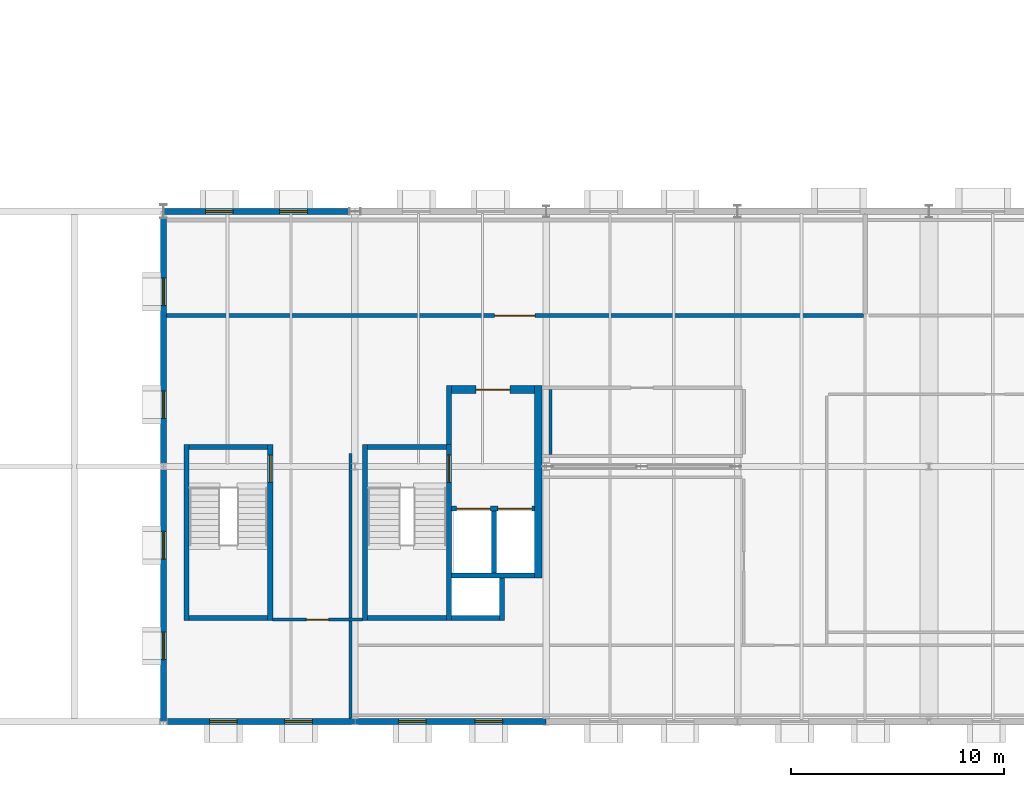
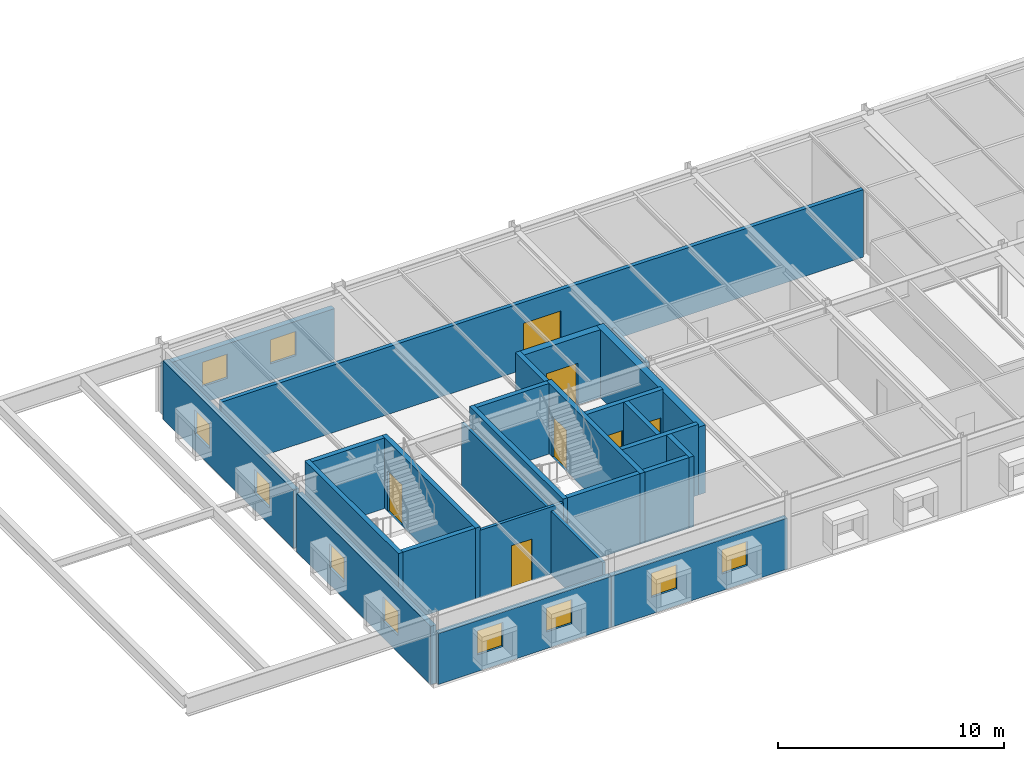
# One storey, part 29 of 36: 26 walls, 10 windows, 7 doors, 17 openings.
"""IFC4 building model written with IfcOpenShell, lengths in metres."""

import ifcopenshell
import ifcopenshell.guid

model = None  # the IFC model being written
_history = None  # IfcOwnerHistory: only IFC2X3 demands one
_inside = {}  # id of a spatial element -> (the spatial element, [elements in it])
_under = {}  # id of a project, library or spatial element -> (it, [spatial elements below it])
_declared = {}  # id of a project -> (the project, [libraries it declares])
_typed = {}  # id of a type object -> (the type object, [elements of that type])
_made_of = {}  # id of a material, layer set ... -> (it, [elements and type objects made of it])


def new_model(schema):
    """Start an empty IFC model of exactly this schema.

    Asked for "IFC4X3", IfcOpenShell would pick the latest addendum, in which some entities
    have other attributes; the version numbers below select the first issue.
    IFC2X3 requires an IfcOwnerHistory on every rooted entity: one is made here for all.
    """
    global model, _history
    if schema == "IFC4X3":
        model = ifcopenshell.file(schema_version=(4, 3, 0, 0))
    else:
        model = ifcopenshell.file(schema=schema)
    _inside.clear()
    _under.clear()
    _declared.clear()
    _typed.clear()
    _made_of.clear()
    _history = None
    if model.schema == "IFC2X3":
        org = make("IfcOrganization", Name="unknown")
        user = make(
            "IfcPersonAndOrganization",
            ThePerson=make("IfcPerson", FamilyName="unknown"),
            TheOrganization=org,
        )
        app = make(
            "IfcApplication",
            ApplicationDeveloper=org,
            Version="unknown",
            ApplicationFullName="unknown",
            ApplicationIdentifier="unknown",
        )
        _history = make(
            "IfcOwnerHistory",
            OwningUser=user,
            OwningApplication=app,
            ChangeAction="ADDED",
            CreationDate=0,
        )
    return model


def make(cls, **values):
    """One entity of the class cls with the attributes given. An attribute that is None is left unset."""
    return model.create_entity(
        cls, **{name: value for name, value in values.items() if value is not None}
    )


def rooted(cls, **values):
    """An entity with a GlobalId (a new one), such as an element, a storey or a relation."""
    return make(cls, GlobalId=ifcopenshell.guid.new(), OwnerHistory=_history, **values)


def si_unit(unit_type, name, prefix=None):
    """IfcSIUnit, for example si_unit("LENGTHUNIT", "METRE", prefix="MILLI")."""
    return make("IfcSIUnit", UnitType=unit_type, Prefix=prefix, Name=name)


def assignment(units):
    """IfcUnitAssignment: the units of a project."""
    return None if units is None else make("IfcUnitAssignment", Units=units)


def point(xyz):
    """IfcCartesianPoint."""
    return None if xyz is None else make("IfcCartesianPoint", Coordinates=xyz)


def direction(xyz):
    """IfcDirection."""
    return None if xyz is None else make("IfcDirection", DirectionRatios=xyz)


def frame(location, z_axis=None, x_axis=None):
    """IfcAxis2Placement3D, a coordinate frame: its origin and axes. An axis left out is left unset."""
    return make(
        "IfcAxis2Placement3D",
        Location=point(location),
        Axis=direction(z_axis),
        RefDirection=direction(x_axis),
    )


def frame_2d(location, x_axis=None):
    """IfcAxis2Placement2D, a coordinate frame in the plane: its origin and x axis."""
    return make(
        "IfcAxis2Placement2D", Location=point(location), RefDirection=direction(x_axis)
    )


def origin():
    """The frame at (0, 0, 0) with its axes left unset."""
    return frame((0.0, 0.0, 0.0))


def place(relative_to, where):
    """IfcLocalPlacement: puts the frame where relative to a parent placement (None: the world)."""
    return make(
        "IfcLocalPlacement", PlacementRelTo=relative_to, RelativePlacement=where
    )


def context(
    kind, dimensions, precision=None, world=None, true_north=None, identifier=None
):
    """IfcGeometricRepresentationContext, for example the 3D "Model" context."""
    return make(
        "IfcGeometricRepresentationContext",
        ContextIdentifier=identifier,
        ContextType=kind,
        CoordinateSpaceDimension=dimensions,
        Precision=precision,
        WorldCoordinateSystem=world,
        TrueNorth=true_north,
    )


def subcontext(parent, identifier, kind, view, scale=None):
    """IfcGeometricRepresentationSubContext, for example "Body" below "Model"."""
    return make(
        "IfcGeometricRepresentationSubContext",
        ContextIdentifier=identifier,
        ContextType=kind,
        ParentContext=parent,
        TargetScale=scale,
        TargetView=view,
    )


def project(units=None, contexts=None):
    """IfcProject with its units and contexts."""
    return rooted(
        "IfcProject",
        Name="project",
        RepresentationContexts=contexts,
        UnitsInContext=assignment(units),
    )


def spatial(cls, under=None, at=None, **own):
    """A site, building, storey or space (cls), placed at a placement, below another one or the project."""
    s = rooted(cls, ObjectPlacement=at, **own)
    if under is not None:
        _under.setdefault(under.id(), (under, []))[1].append(s)
    return s


def profile(cls, at=None, kind="AREA", **sizes):
    """A parametric profile (cls). Its sizes go by their IFC names, for example OverallWidth=200.0."""
    return make(cls, ProfileType=kind, Position=at, **sizes)


def rectangle(**sizes):
    """IfcRectangleProfileDef."""
    return profile("IfcRectangleProfileDef", **sizes)


def extrude(swept, where, along, depth):
    """IfcExtrudedAreaSolid: the profile swept, set in the frame where, extruded along a direction by depth."""
    return make(
        "IfcExtrudedAreaSolid",
        SweptArea=swept,
        Position=where,
        ExtrudedDirection=direction(along),
        Depth=depth,
    )


def shape(context_of_items, identifier, shape_type, items):
    """IfcShapeRepresentation: the items that make up one representation, for example the "Body"."""
    return make(
        "IfcShapeRepresentation",
        ContextOfItems=context_of_items,
        RepresentationIdentifier=identifier,
        RepresentationType=shape_type,
        Items=items,
    )


def material(Name=None, Category=None):
    """IfcMaterial."""
    return make("IfcMaterial", Name=Name, Category=Category)


def layer(
    of_material, thickness, ventilated=None, Name=None, Category=None, Priority=None
):
    """IfcMaterialLayer: one layer of a wall or slab, of a material (None: an air gap)."""
    return make(
        "IfcMaterialLayer",
        Material=of_material,
        LayerThickness=thickness,
        IsVentilated=ventilated,
        Name=Name,
        Category=Category,
        Priority=Priority,
    )


def layer_set(layers, Name=None):
    """IfcMaterialLayerSet."""
    return make("IfcMaterialLayerSet", MaterialLayers=layers, LayerSetName=Name)


def made_of(thing, what):
    """Note that an element or type object is made of a material, layer set ...; save() writes the relation."""
    if what is not None:
        _made_of.setdefault(what.id(), (what, []))[1].append(thing)
    return thing


def type_object(cls, material=None, **own):
    """A type object (cls), such as IfcWallType, which elements share."""
    return made_of(rooted(cls, **own), material)


def element(
    cls,
    number,
    at=None,
    inside=None,
    cuts=None,
    type_object=None,
    material=None,
    context=None,
    identifier="Body",
    shape_type=None,
    held_by="IfcProductDefinitionShape",
    body=None,
    shapes=None,
    **own,
):
    """One element of the class cls, such as IfcWall. Its Tag is "e" and its number.

    at: its placement. inside: the storey or other place that contains it. cuts: it is an
    opening in that element (IfcRelVoidsElement). A single representation is given by context,
    identifier, shape_type and body (its items); several are given by shapes. held_by: the class
    of the entity that holds the representations. save() writes the other relations.
    """
    e = rooted(cls, Tag="e%d" % number, ObjectPlacement=at, **own)
    if body is not None:
        shapes = [shape(context, identifier, shape_type, body)]
    if shapes is not None:
        e.Representation = make(held_by, Representations=shapes)
    if inside is not None:
        _inside.setdefault(inside.id(), (inside, []))[1].append(e)
    if cuts is not None:
        rooted(
            "IfcRelVoidsElement", RelatingBuildingElement=cuts, RelatedOpeningElement=e
        )
    if type_object is not None:
        _typed.setdefault(type_object.id(), (type_object, []))[1].append(e)
    return made_of(e, material)


def fill(opening, filler):
    """IfcRelFillsElement: the door or window that sits in an opening."""
    return rooted(
        "IfcRelFillsElement",
        RelatingOpeningElement=opening,
        RelatedBuildingElement=filler,
    )


def aggregate(whole, parts):
    """IfcRelAggregates: a whole, such as a stair, and the parts it consists of."""
    return rooted("IfcRelAggregates", RelatingObject=whole, RelatedObjects=parts)


def save(model, path):
    """Write the relations noted so far, then the file.

    IfcRelAggregates (storeys below a building ...), IfcRelContainedInSpatialStructure (elements
    in a storey), IfcRelDefinesByType, IfcRelAssociatesMaterial and IfcRelDeclares: one each for
    every whole, place, type object, material and project.
    """
    for whole, parts in _under.values():
        aggregate(whole, parts)
    for where, things in _inside.values():
        rooted(
            "IfcRelContainedInSpatialStructure",
            RelatedElements=things,
            RelatingStructure=where,
        )
    for kind, things in _typed.values():
        rooted("IfcRelDefinesByType", RelatedObjects=things, RelatingType=kind)
    for what, things in _made_of.values():
        rooted("IfcRelAssociatesMaterial", RelatedObjects=things, RelatingMaterial=what)
    for by, libraries in _declared.values():
        rooted("IfcRelDeclares", RelatingContext=by, RelatedDefinitions=libraries)
    model.write(path)


model = new_model("IFC4")

# Units and contexts
model_context = context("Model", 3, precision=1e-05, world=origin(), true_north=direction((0.0, 1.0)))
body_context = subcontext(model_context, "Body", "Model", "MODEL_VIEW")
ifc_project = project(units=[si_unit("LENGTHUNIT", "METRE"), si_unit("AREAUNIT", "SQUARE_METRE"), si_unit("VOLUMEUNIT", "CUBIC_METRE"), si_unit("PLANEANGLEUNIT", "RADIAN"), si_unit("MASSUNIT", "GRAM", prefix="KILO")], contexts=[model_context])

# Site, building, storey
site_placement = place(None, origin())
site = spatial("IfcSite", under=ifc_project, at=site_placement, CompositionType="ELEMENT")
building_placement = place(site_placement, origin())
building = spatial("IfcBuilding", under=site, at=building_placement, Name="Montelvaro Courts of Justice", CompositionType="ELEMENT")
storey_placement = place(building_placement, frame((0.0, 0.0, 23.39990234375)))
storey = spatial("IfcBuildingStorey", under=building, at=storey_placement, Name="L05", CompositionType="ELEMENT", Elevation=23.39990234375)

# Wall, opening, door
ifc_material_1 = material(Name="Gypsum board on metal stud")
ifc_layer_1 = layer(ifc_material_1, 0.14990234375)
ifc_layer_set_1 = layer_set([ifc_layer_1], Name="Gypsum board on metal stud")
wall_type_1 = type_object("IfcWallType", Name="ChambersPartition_150", PredefinedType="PARTITIONING", material=ifc_layer_set_1)
wall_1_placement = place(storey_placement, frame((50.113037109375, 4.800048828125, 0.0), z_axis=(0.0, 0.0, 1.0), x_axis=(1.0, 0.0, 0.0)))
wall_1 = element("IfcWall", 1, at=wall_1_placement, inside=storey, type_object=wall_type_1, Name="Interior Partition IW-04 (L05)", PredefinedType="PARTITIONING", context=body_context, shape_type="SweptSolid", body=[
    extrude(rectangle(XDim=4.251953125, YDim=0.14990234375, at=frame_2d((2.1259765625, 0.0))), origin(), (0.0, 0.0, 1.0), 3.64013671875),
])
opening_1_placement = place(wall_1_placement, frame((1.60107421875, 0.0, 0.0)))
opening_1 = element("IfcOpeningElement", 2, at=opening_1_placement, cuts=wall_1, Name="Opening D-L05-148", PredefinedType="OPENING", context=body_context, shape_type="SweptSolid", body=[
    extrude(rectangle(XDim=1.050048828125, YDim=2.25, at=frame_2d((0.52490234375, 1.125))), frame((0.0, 0.08984375, 0.0), z_axis=(0.0, -1.0, 0.0), x_axis=(1.0, 0.0, 0.0)), (0.0, 0.0, 1.0), 0.1796875),
])
ifc_material_2 = material(Name="Acoustic oak timber veneer", Category="wood")
door_type_1 = type_object("IfcDoorType", Name="ChamberDoor_105x225", OperationType="NOTDEFINED", PredefinedType="DOOR", material=ifc_material_2)
door_1_placement = place(opening_1_placement, origin())
door_1 = element("IfcDoor", 3, at=door_1_placement, inside=storey, type_object=door_type_1, Name="Interior Door D-L05-148 (Senior Prosecutors' Chambers West L05)", OperationType="SINGLE_SWING_LEFT", OverallHeight=2.25, OverallWidth=1.050048828125, PredefinedType="DOOR", context=body_context, shape_type="SweptSolid", body=[
    extrude(rectangle(XDim=1.050048828125, YDim=2.25, at=frame_2d((0.52490234375, 1.125))), frame((0.0, 0.02490234375, 0.0), z_axis=(0.0, -1.0, 0.0), x_axis=(1.0, 0.0, 0.0)), (0.0, 0.0, 1.0), 0.050048828125),
])
fill(opening_1, door_1)

# Walls
wall_2_placement = place(storey_placement, frame((53.800048828125, 4.72998046875, 0.0), z_axis=(0.0, 0.0, 1.0), x_axis=(0.0, -1.0, 0.0)))
element("IfcWall", 4, at=wall_2_placement, inside=storey, type_object=wall_type_1, Name="Interior Partition IW-04 (L05)", PredefinedType="PARTITIONING", context=body_context, shape_type="SweptSolid", body=[
    extrude(rectangle(XDim=4.58203125, YDim=0.14990234375, at=frame_2d((2.291015625, 0.0))), origin(), (0.0, 0.0, 1.0), 3.405029296875),
])
wall_3_placement = place(storey_placement, frame((53.800048828125, 12.6201171875, 0.0), z_axis=(0.0, 0.0, 1.0), x_axis=(0.0, -1.0, 0.0)))
element("IfcWall", 5, at=wall_3_placement, inside=storey, type_object=wall_type_1, Name="Interior Partition IW-04 (L05)", PredefinedType="PARTITIONING", context=body_context, shape_type="SweptSolid", body=[
    extrude(rectangle(XDim=7.75, YDim=0.14990234375, at=frame_2d((3.875, 0.0))), origin(), (0.0, 0.0, 1.0), 3.405029296875),
])
wall_4_placement = place(storey_placement, frame((63.199951171875, 12.570068359375, 0.0), z_axis=(0.0, 0.0, 1.0), x_axis=(0.0, 1.0, 0.0)))
element("IfcWall", 6, at=wall_4_placement, inside=storey, type_object=wall_type_1, Name="Interior Partition IW-04 (L05)", PredefinedType="PARTITIONING", context=body_context, shape_type="SweptSolid", body=[
    extrude(rectangle(XDim=3.050048828125, YDim=0.14990234375, at=frame_2d((1.52490234375, 0.0))), origin(), (0.0, 0.0, 1.0), 3.364990234375),
])

# Wall, opening, door
ifc_material_3 = material(Name="Concrete C40/50", Category="concrete")
ifc_layer_2 = layer(ifc_material_3, 0.360107421875)
ifc_layer_set_2 = layer_set([ifc_layer_2], Name="Concrete C40/50")
wall_type_2 = type_object("IfcWallType", Name="CoreWall_360", PredefinedType="SHEAR", material=ifc_layer_set_2)
wall_5_placement = place(storey_placement, frame((58.5400390625, 15.6201171875, 0.0), z_axis=(0.0, 0.0, 1.0), x_axis=(1.0, 0.0, 0.0)))
wall_5 = element("IfcWall", 7, at=wall_5_placement, inside=storey, type_object=wall_type_2, Name="Core Shear Wall CW-01 K1-N (L05)", PredefinedType="SHEAR", context=body_context, shape_type="SweptSolid", body=[
    extrude(rectangle(XDim=3.89990234375, YDim=0.360107421875, at=frame_2d((1.949951171875, 0.0))), origin(), (0.0, 0.0, 1.0), 3.66015625),
])
opening_2_placement = place(wall_5_placement, frame((1.14990234375, 0.0, 0.0)))
opening_2 = element("IfcOpeningElement", 8, at=opening_2_placement, cuts=wall_5, Name="Opening DL-L05-K1", PredefinedType="OPENING", context=body_context, shape_type="SweptSolid", body=[
    extrude(rectangle(XDim=1.60009765625, YDim=2.25, at=frame_2d((0.800048828125, 1.125))), frame((0.0, 0.19482421875, 0.0), z_axis=(0.0, -1.0, 0.0), x_axis=(1.0, 0.0, 0.0)), (0.0, 0.0, 1.0), 0.389892578125),
])
ifc_material_4 = material(Name="Galvanised steel S355 security door", Category="steel")
door_type_2 = type_object("IfcDoorType", Name="LobbyFireDoor_160x225", OperationType="DOUBLE_DOOR_SINGLE_SWING", PredefinedType="DOOR", material=ifc_material_4)
door_2_placement = place(opening_2_placement, origin())
door_2 = element("IfcDoor", 9, at=door_2_placement, inside=storey, type_object=door_type_2, Name="Core Lobby Fire Door DL-L05-K1", OperationType="DOUBLE_DOOR_SINGLE_SWING", OverallHeight=2.25, OverallWidth=1.60009765625, PredefinedType="DOOR", context=body_context, shape_type="SweptSolid", body=[
    extrude(rectangle(XDim=1.60009765625, YDim=2.25, at=frame_2d((0.800048828125, 1.125))), frame((0.0, 0.02490234375, 0.0), z_axis=(0.0, -1.0, 0.0), x_axis=(1.0, 0.0, 0.0)), (0.0, 0.0, 1.0), 0.050048828125),
])
fill(opening_2, door_2)

# Wall
wall_6_placement = place(storey_placement, frame((62.6201171875, 6.760009765625, 0.0), z_axis=(0.0, 0.0, 1.0), x_axis=(0.0, 1.0, 0.0)))
element("IfcWall", 10, at=wall_6_placement, inside=storey, type_object=wall_type_2, Name="Core Shear Wall CW-01 K1-E (L05)", PredefinedType="SHEAR", context=body_context, shape_type="SweptSolid", body=[
    extrude(rectangle(XDim=9.0400390625, YDim=0.360107421875, at=frame_2d((4.52001953125, 0.0))), origin(), (0.0, 0.0, 1.0), 3.66015625),
])

# Wall, opening, door
ifc_material_5 = material(Name="Gypsum acoustic double stud with mineral wool")
ifc_layer_3 = layer(ifc_material_5, 0.199951171875)
ifc_layer_set_3 = layer_set([ifc_layer_3], Name="Gypsum acoustic double stud with mineral wool")
wall_type_3 = type_object("IfcWallType", Name="CourtAcousticWall_200", PredefinedType="PARTITIONING", material=ifc_layer_set_3)
wall_7_placement = place(storey_placement, frame((77.919921875, 19.10009765625, 0.0), z_axis=(0.0, 0.0, 1.0), x_axis=(-1.0, 0.0, 0.0)))
wall_7 = element("IfcWall", 11, at=wall_7_placement, inside=storey, type_object=wall_type_3, Name="Interior Partition IW-01 (L05)", PredefinedType="PARTITIONING", context=body_context, shape_type="SweptSolid", body=[
    extrude(rectangle(XDim=32.784912109375, YDim=0.199951171875, at=frame_2d((16.392578125, 0.0))), origin(), (0.0, 0.0, 1.0), 3.64013671875),
])
opening_3_placement = place(wall_7_placement, frame((15.44189453125, 0.0, 0.0)))
opening_3 = element("IfcOpeningElement", 12, at=opening_3_placement, cuts=wall_7, Name="Opening D-L05-152", PredefinedType="OPENING", context=body_context, shape_type="SweptSolid", body=[
    extrude(rectangle(XDim=1.89990234375, YDim=2.5, at=frame_2d((0.949951171875, 1.25))), frame((0.0, 0.11474609375, 0.0), z_axis=(0.0, -1.0, 0.0), x_axis=(1.0, 0.0, 0.0)), (0.0, 0.0, 1.0), 0.229736328125),
])
door_type_3 = type_object("IfcDoorType", Name="CourtDoor_190x250", OperationType="DOUBLE_DOOR_SINGLE_SWING", PredefinedType="DOOR", material=ifc_material_2)
door_3_placement = place(opening_3_placement, origin())
door_3 = element("IfcDoor", 13, at=door_3_placement, inside=storey, type_object=door_type_3, Name="Interior Door D-L05-152 (Commercial Hearing Room 19)", OperationType="DOUBLE_DOOR_SINGLE_SWING", OverallHeight=2.5, OverallWidth=1.89990234375, PredefinedType="DOOR", context=body_context, shape_type="SweptSolid", body=[
    extrude(rectangle(XDim=1.89990234375, YDim=2.5, at=frame_2d((0.949951171875, 1.25))), frame((0.0, 0.02490234375, 0.0), z_axis=(0.0, -1.0, 0.0), x_axis=(1.0, 0.0, 0.0)), (0.0, 0.0, 1.0), 0.050048828125),
])
fill(opening_3, door_3)

# Wall, openings, windows
ifc_material_6 = material(Name="White mineral precast concrete C45/55", Category="concrete")
ifc_layer_4 = layer(ifc_material_6, 0.280029296875)
ifc_layer_set_4 = layer_set([ifc_layer_4], Name="White mineral precast concrete C45/55")
wall_type_4 = type_object("IfcWallType", Name="ExtWall_GFRC_280", PredefinedType="SOLIDWALL", material=ifc_layer_set_4)
wall_8_placement = place(storey_placement, frame((45.16796875, 0.0, 0.0), z_axis=(0.0, 0.0, 1.0), x_axis=(1.0, 0.0, 0.0)))
wall_8 = element("IfcWall", 14, at=wall_8_placement, inside=storey, type_object=wall_type_4, Name="Exterior Facade Wall EW-01 (L05)", PredefinedType="SOLIDWALL", context=body_context, shape_type="SweptSolid", body=[
    extrude(rectangle(XDim=8.823974609375, YDim=0.280029296875, at=frame_2d((4.412109375, 0.0))), origin(), (0.0, 0.0, 1.0), 2.7470703125),
])
opening_4_placement = place(wall_8_placement, frame((1.9970703125, 0.0, 0.89990234375)))
opening_4 = element("IfcOpeningElement", 15, at=opening_4_placement, cuts=wall_8, Name="Opening WE-18", PredefinedType="OPENING", context=body_context, shape_type="SweptSolid", body=[
    extrude(rectangle(XDim=1.300048828125, YDim=1.300048828125, at=frame_2d((0.64990234375, 0.64990234375))), frame((0.0, 0.15478515625, 0.0), z_axis=(0.0, -1.0, 0.0), x_axis=(1.0, 0.0, 0.0)), (0.0, 0.0, 1.0), 0.309814453125),
])
opening_5_placement = place(wall_8_placement, frame((5.527099609375, 0.0, 0.89990234375)))
opening_5 = element("IfcOpeningElement", 16, at=opening_5_placement, cuts=wall_8, Name="Opening WE-18", PredefinedType="OPENING", context=body_context, shape_type="SweptSolid", body=[
    extrude(rectangle(XDim=1.300048828125, YDim=1.300048828125, at=frame_2d((0.64990234375, 0.64990234375))), frame((0.0, 0.15478515625, 0.0), z_axis=(0.0, -1.0, 0.0), x_axis=(1.0, 0.0, 0.0)), (0.0, 0.0, 1.0), 0.309814453125),
])
ifc_material_7 = material(Name="Low-E solar control double glazing", Category="glass")
window_type = type_object("IfcWindowType", Name="Win_Sq_130x130", PartitioningType="SINGLE_PANEL", PredefinedType="WINDOW", material=ifc_material_7)
window_1_placement = place(opening_4_placement, origin())
window_1 = element("IfcWindow", 17, at=window_1_placement, inside=storey, type_object=window_type, Name="Window W-L05-237", OverallHeight=1.300048828125, OverallWidth=1.300048828125, PartitioningType="SINGLE_PANEL", PredefinedType="WINDOW", context=body_context, shape_type="SweptSolid", body=[
    extrude(rectangle(XDim=1.300048828125, YDim=1.300048828125, at=frame_2d((0.64990234375, 0.64990234375))), frame((0.0, 0.030029296875, 0.0), z_axis=(0.0, -1.0, 0.0), x_axis=(1.0, 0.0, 0.0)), (0.0, 0.0, 1.0), 0.06005859375),
])
fill(opening_4, window_1)
window_2_placement = place(opening_5_placement, origin())
window_2 = element("IfcWindow", 18, at=window_2_placement, inside=storey, type_object=window_type, Name="Window W-L05-238", OverallHeight=1.300048828125, OverallWidth=1.300048828125, PartitioningType="SINGLE_PANEL", PredefinedType="WINDOW", context=body_context, shape_type="SweptSolid", body=[
    extrude(rectangle(XDim=1.300048828125, YDim=1.300048828125, at=frame_2d((0.64990234375, 0.64990234375))), frame((0.0, 0.030029296875, 0.0), z_axis=(0.0, -1.0, 0.0), x_axis=(1.0, 0.0, 0.0)), (0.0, 0.0, 1.0), 0.06005859375),
])
fill(opening_5, window_2)

wall_9_placement = place(storey_placement, frame((54.008056640625, 0.0, 0.0), z_axis=(0.0, 0.0, 1.0), x_axis=(1.0, 0.0, 0.0)))
wall_9 = element("IfcWall", 19, at=wall_9_placement, inside=storey, type_object=wall_type_4, Name="Exterior Facade Wall EW-01 (L05)", PredefinedType="SOLIDWALL", context=body_context, shape_type="SweptSolid", body=[
    extrude(rectangle(XDim=8.98388671875, YDim=0.280029296875, at=frame_2d((4.491943359375, 0.0))), origin(), (0.0, 0.0, 1.0), 2.7470703125),
])
opening_6_placement = place(wall_9_placement, frame((2.044921875, 0.0, 0.89990234375)))
opening_6 = element("IfcOpeningElement", 20, at=opening_6_placement, cuts=wall_9, Name="Opening WE-18", PredefinedType="OPENING", context=body_context, shape_type="SweptSolid", body=[
    extrude(rectangle(XDim=1.300048828125, YDim=1.300048828125, at=frame_2d((0.64990234375, 0.64990234375))), frame((0.0, 0.15478515625, 0.0), z_axis=(0.0, -1.0, 0.0), x_axis=(1.0, 0.0, 0.0)), (0.0, 0.0, 1.0), 0.309814453125),
])
opening_7_placement = place(wall_9_placement, frame((5.638916015625, 0.0, 0.89990234375)))
opening_7 = element("IfcOpeningElement", 21, at=opening_7_placement, cuts=wall_9, Name="Opening WE-18", PredefinedType="OPENING", context=body_context, shape_type="SweptSolid", body=[
    extrude(rectangle(XDim=1.300048828125, YDim=1.300048828125, at=frame_2d((0.64990234375, 0.64990234375))), frame((0.0, 0.15478515625, 0.0), z_axis=(0.0, -1.0, 0.0), x_axis=(1.0, 0.0, 0.0)), (0.0, 0.0, 1.0), 0.309814453125),
])
window_3_placement = place(opening_6_placement, origin())
window_3 = element("IfcWindow", 22, at=window_3_placement, inside=storey, type_object=window_type, Name="Window W-L05-239", OverallHeight=1.300048828125, OverallWidth=1.300048828125, PartitioningType="SINGLE_PANEL", PredefinedType="WINDOW", context=body_context, shape_type="SweptSolid", body=[
    extrude(rectangle(XDim=1.300048828125, YDim=1.300048828125, at=frame_2d((0.64990234375, 0.64990234375))), frame((0.0, 0.030029296875, 0.0), z_axis=(0.0, -1.0, 0.0), x_axis=(1.0, 0.0, 0.0)), (0.0, 0.0, 1.0), 0.06005859375),
])
fill(opening_6, window_3)
window_4_placement = place(opening_7_placement, origin())
window_4 = element("IfcWindow", 23, at=window_4_placement, inside=storey, type_object=window_type, Name="Window W-L05-240", OverallHeight=1.300048828125, OverallWidth=1.300048828125, PartitioningType="SINGLE_PANEL", PredefinedType="WINDOW", context=body_context, shape_type="SweptSolid", body=[
    extrude(rectangle(XDim=1.300048828125, YDim=1.300048828125, at=frame_2d((0.64990234375, 0.64990234375))), frame((0.0, 0.030029296875, 0.0), z_axis=(0.0, -1.0, 0.0), x_axis=(1.0, 0.0, 0.0)), (0.0, 0.0, 1.0), 0.06005859375),
])
fill(opening_7, window_4)

wall_10_placement = place(storey_placement, frame((53.72705078125, 24.0, 0.0), z_axis=(0.0, 0.0, 1.0), x_axis=(-1.0, 0.0, 0.0)))
wall_10 = element("IfcWall", 24, at=wall_10_placement, inside=storey, type_object=wall_type_4, Name="Exterior Facade Wall EW-01 (L05)", PredefinedType="SOLIDWALL", context=body_context, shape_type="SweptSolid", body=[
    extrude(rectangle(XDim=8.718994140625, YDim=0.280029296875, at=frame_2d((4.359375, 0.0))), origin(), (0.0, 0.0, 1.0), 2.7470703125),
])
opening_8_placement = place(wall_10_placement, frame((1.966064453125, 0.0, 0.89990234375)))
opening_8 = element("IfcOpeningElement", 25, at=opening_8_placement, cuts=wall_10, Name="Opening WE-18", PredefinedType="OPENING", context=body_context, shape_type="SweptSolid", body=[
    extrude(rectangle(XDim=1.300048828125, YDim=1.300048828125, at=frame_2d((0.64990234375, 0.64990234375))), frame((0.0, 0.15478515625, 0.0), z_axis=(0.0, -1.0, 0.0), x_axis=(1.0, 0.0, 0.0)), (0.0, 0.0, 1.0), 0.309814453125),
])
opening_9_placement = place(wall_10_placement, frame((5.452880859375, 0.0, 0.89990234375)))
opening_9 = element("IfcOpeningElement", 26, at=opening_9_placement, cuts=wall_10, Name="Opening WE-18", PredefinedType="OPENING", context=body_context, shape_type="SweptSolid", body=[
    extrude(rectangle(XDim=1.300048828125, YDim=1.300048828125, at=frame_2d((0.64990234375, 0.64990234375))), frame((0.0, 0.15478515625, 0.0), z_axis=(0.0, -1.0, 0.0), x_axis=(1.0, 0.0, 0.0)), (0.0, 0.0, 1.0), 0.309814453125),
])
window_5_placement = place(opening_8_placement, origin())
window_5 = element("IfcWindow", 27, at=window_5_placement, inside=storey, type_object=window_type, Name="Window W-L05-250", OverallHeight=1.300048828125, OverallWidth=1.300048828125, PartitioningType="SINGLE_PANEL", PredefinedType="WINDOW", context=body_context, shape_type="SweptSolid", body=[
    extrude(rectangle(XDim=1.300048828125, YDim=1.300048828125, at=frame_2d((0.64990234375, 0.64990234375))), frame((0.0, 0.030029296875, 0.0), z_axis=(0.0, -1.0, 0.0), x_axis=(1.0, 0.0, 0.0)), (0.0, 0.0, 1.0), 0.06005859375),
])
fill(opening_8, window_5)
window_6_placement = place(opening_9_placement, origin())
window_6 = element("IfcWindow", 28, at=window_6_placement, inside=storey, type_object=window_type, Name="Window W-L05-251", OverallHeight=1.300048828125, OverallWidth=1.300048828125, PartitioningType="SINGLE_PANEL", PredefinedType="WINDOW", context=body_context, shape_type="SweptSolid", body=[
    extrude(rectangle(XDim=1.300048828125, YDim=1.300048828125, at=frame_2d((0.64990234375, 0.64990234375))), frame((0.0, 0.030029296875, 0.0), z_axis=(0.0, -1.0, 0.0), x_axis=(1.0, 0.0, 0.0)), (0.0, 0.0, 1.0), 0.06005859375),
])
fill(opening_9, window_6)

wall_11_placement = place(storey_placement, frame((45.0, 23.677001953125, 0.0), z_axis=(0.0, 0.0, 1.0), x_axis=(0.0, -1.0, 0.0)))
wall_11 = element("IfcWall", 29, at=wall_11_placement, inside=storey, type_object=wall_type_4, Name="Exterior Facade Wall EW-01 (L05)", PredefinedType="SOLIDWALL", context=body_context, shape_type="SweptSolid", body=[
    extrude(rectangle(XDim=11.529052734375, YDim=0.280029296875, at=frame_2d((5.7646484375, 0.0))), origin(), (0.0, 0.0, 1.0), 3.155029296875),
])
opening_10_placement = place(wall_11_placement, frame((2.80908203125, 0.0, 0.89990234375)))
opening_10 = element("IfcOpeningElement", 30, at=opening_10_placement, cuts=wall_11, Name="Opening WE-18", PredefinedType="OPENING", context=body_context, shape_type="SweptSolid", body=[
    extrude(rectangle(XDim=1.300048828125, YDim=1.300048828125, at=frame_2d((0.64990234375, 0.64990234375))), frame((0.0, 0.15478515625, 0.0), z_axis=(0.0, -1.0, 0.0), x_axis=(1.0, 0.0, 0.0)), (0.0, 0.0, 1.0), 0.309814453125),
])
opening_11_placement = place(wall_11_placement, frame((8.116943359375, 0.0, 0.89990234375)))
opening_11 = element("IfcOpeningElement", 31, at=opening_11_placement, cuts=wall_11, Name="Opening WE-18", PredefinedType="OPENING", context=body_context, shape_type="SweptSolid", body=[
    extrude(rectangle(XDim=1.300048828125, YDim=1.300048828125, at=frame_2d((0.64990234375, 0.64990234375))), frame((0.0, 0.15478515625, 0.0), z_axis=(0.0, -1.0, 0.0), x_axis=(1.0, 0.0, 0.0)), (0.0, 0.0, 1.0), 0.309814453125),
])
window_7_placement = place(opening_10_placement, origin())
window_7 = element("IfcWindow", 32, at=window_7_placement, inside=storey, type_object=window_type, Name="Window W-L05-252", OverallHeight=1.300048828125, OverallWidth=1.300048828125, PartitioningType="SINGLE_PANEL", PredefinedType="WINDOW", context=body_context, shape_type="SweptSolid", body=[
    extrude(rectangle(XDim=1.300048828125, YDim=1.300048828125, at=frame_2d((0.64990234375, 0.64990234375))), frame((0.0, 0.030029296875, 0.0), z_axis=(0.0, -1.0, 0.0), x_axis=(1.0, 0.0, 0.0)), (0.0, 0.0, 1.0), 0.06005859375),
])
fill(opening_10, window_7)
window_8_placement = place(opening_11_placement, origin())
window_8 = element("IfcWindow", 33, at=window_8_placement, inside=storey, type_object=window_type, Name="Window W-L05-253", OverallHeight=1.300048828125, OverallWidth=1.300048828125, PartitioningType="SINGLE_PANEL", PredefinedType="WINDOW", context=body_context, shape_type="SweptSolid", body=[
    extrude(rectangle(XDim=1.300048828125, YDim=1.300048828125, at=frame_2d((0.64990234375, 0.64990234375))), frame((0.0, 0.030029296875, 0.0), z_axis=(0.0, -1.0, 0.0), x_axis=(1.0, 0.0, 0.0)), (0.0, 0.0, 1.0), 0.06005859375),
])
fill(opening_11, window_8)

wall_12_placement = place(storey_placement, frame((45.0, 11.85205078125, 0.0), z_axis=(0.0, 0.0, 1.0), x_axis=(0.0, -1.0, 0.0)))
wall_12 = element("IfcWall", 34, at=wall_12_placement, inside=storey, type_object=wall_type_4, Name="Exterior Facade Wall EW-01 (L05)", PredefinedType="SOLIDWALL", context=body_context, shape_type="SweptSolid", body=[
    extrude(rectangle(XDim=11.843994140625, YDim=0.280029296875, at=frame_2d((5.921875, 0.0))), origin(), (0.0, 0.0, 1.0), 3.155029296875),
])
opening_12_placement = place(wall_12_placement, frame((2.903076171875, 0.0, 0.89990234375)))
opening_12 = element("IfcOpeningElement", 35, at=opening_12_placement, cuts=wall_12, Name="Opening WE-18", PredefinedType="OPENING", context=body_context, shape_type="SweptSolid", body=[
    extrude(rectangle(XDim=1.300048828125, YDim=1.300048828125, at=frame_2d((0.64990234375, 0.64990234375))), frame((0.0, 0.15478515625, 0.0), z_axis=(0.0, -1.0, 0.0), x_axis=(1.0, 0.0, 0.0)), (0.0, 0.0, 1.0), 0.309814453125),
])
opening_13_placement = place(wall_12_placement, frame((7.64111328125, 0.0, 0.89990234375)))
opening_13 = element("IfcOpeningElement", 36, at=opening_13_placement, cuts=wall_12, Name="Opening WE-18", PredefinedType="OPENING", context=body_context, shape_type="SweptSolid", body=[
    extrude(rectangle(XDim=1.300048828125, YDim=1.300048828125, at=frame_2d((0.64990234375, 0.64990234375))), frame((0.0, 0.15478515625, 0.0), z_axis=(0.0, -1.0, 0.0), x_axis=(1.0, 0.0, 0.0)), (0.0, 0.0, 1.0), 0.309814453125),
])
window_9_placement = place(opening_12_placement, origin())
window_9 = element("IfcWindow", 37, at=window_9_placement, inside=storey, type_object=window_type, Name="Window W-L05-254", OverallHeight=1.300048828125, OverallWidth=1.300048828125, PartitioningType="SINGLE_PANEL", PredefinedType="WINDOW", context=body_context, shape_type="SweptSolid", body=[
    extrude(rectangle(XDim=1.300048828125, YDim=1.300048828125, at=frame_2d((0.64990234375, 0.64990234375))), frame((0.0, 0.030029296875, 0.0), z_axis=(0.0, -1.0, 0.0), x_axis=(1.0, 0.0, 0.0)), (0.0, 0.0, 1.0), 0.06005859375),
])
fill(opening_12, window_9)
window_10_placement = place(opening_13_placement, origin())
window_10 = element("IfcWindow", 38, at=window_10_placement, inside=storey, type_object=window_type, Name="Window W-L05-255", OverallHeight=1.300048828125, OverallWidth=1.300048828125, PartitioningType="SINGLE_PANEL", PredefinedType="WINDOW", context=body_context, shape_type="SweptSolid", body=[
    extrude(rectangle(XDim=1.300048828125, YDim=1.300048828125, at=frame_2d((0.64990234375, 0.64990234375))), frame((0.0, 0.030029296875, 0.0), z_axis=(0.0, -1.0, 0.0), x_axis=(1.0, 0.0, 0.0)), (0.0, 0.0, 1.0), 0.06005859375),
])
fill(opening_13, window_10)

# Wall
ifc_material_8 = material(Name="Concrete C35/45", Category="concrete")
ifc_layer_5 = layer(ifc_material_8, 0.239990234375)
ifc_layer_set_5 = layer_set([ifc_layer_5], Name="Concrete C35/45")
wall_type_5 = type_object("IfcWallType", Name="ShaftWall_240", PredefinedType="SHEAR", material=ifc_layer_set_5)
wall_13_placement = place(storey_placement, frame((54.47998046875, 4.760009765625, 0.0), z_axis=(0.0, 0.0, 1.0), x_axis=(0.0, 1.0, 0.0)))
element("IfcWall", 39, at=wall_13_placement, inside=storey, type_object=wall_type_5, Name="Protected Stair Structural Wall ST-K1-W (L05)", PredefinedType="SHEAR", context=body_context, shape_type="SweptSolid", body=[
    extrude(rectangle(XDim=8.280029296875, YDim=0.239990234375, at=frame_2d((4.14013671875, 0.0))), origin(), (0.0, 0.0, 1.0), 3.81005859375),
])

# Wall, opening, door
wall_14_placement = place(storey_placement, frame((58.419921875, 4.760009765625, 0.0), z_axis=(0.0, 0.0, 1.0), x_axis=(0.0, 1.0, 0.0)))
wall_14 = element("IfcWall", 40, at=wall_14_placement, inside=storey, type_object=wall_type_5, Name="Protected Stair Structural Wall ST-K1-E (L05)", PredefinedType="SHEAR", context=body_context, shape_type="SweptSolid", body=[
    extrude(rectangle(XDim=8.280029296875, YDim=0.239990234375, at=frame_2d((4.14013671875, 0.0))), origin(), (0.0, 0.0, 1.0), 3.81005859375),
])
opening_14_placement = place(wall_14_placement, frame((6.489990234375, 0.0, 0.0)))
opening_14 = element("IfcOpeningElement", 41, at=opening_14_placement, cuts=wall_14, Name="Opening DS-L05-K1", PredefinedType="OPENING", context=body_context, shape_type="SweptSolid", body=[
    extrude(rectangle(XDim=1.300048828125, YDim=2.199951171875, at=frame_2d((0.64990234375, 1.10009765625))), frame((0.0, 0.134765625, 0.0), z_axis=(0.0, -1.0, 0.0), x_axis=(1.0, 0.0, 0.0)), (0.0, 0.0, 1.0), 0.269775390625),
])
door_type_4 = type_object("IfcDoorType", Name="StairFireDoor_130x220", OperationType="NOTDEFINED", PredefinedType="DOOR", material=ifc_material_4)
door_4_placement = place(opening_14_placement, frame((1.300048828125, 0.0, 0.0), z_axis=(0.0, 0.0, 1.0), x_axis=(-1.0, 0.0, 0.0)))
door_4 = element("IfcDoor", 42, at=door_4_placement, inside=storey, type_object=door_type_4, Name="Protected Stair Fire Door DS-L05-K1", OperationType="SINGLE_SWING_LEFT", OverallHeight=2.199951171875, OverallWidth=1.300048828125, PredefinedType="DOOR", context=body_context, shape_type="SweptSolid", body=[
    extrude(rectangle(XDim=1.300048828125, YDim=2.199951171875, at=frame_2d((0.64990234375, 1.10009765625))), frame((0.0, 0.02490234375, 0.0), z_axis=(0.0, -1.0, 0.0), x_axis=(1.0, 0.0, 0.0)), (0.0, 0.0, 1.0), 0.050048828125),
])
fill(opening_14, door_4)

# Walls
for number, where, z_axis, x_axis, name in (
    (43, (54.60009765625, 4.8798828125, 0.0), (0.0, 0.0, 1.0), (1.0, 0.0, 0.0), "Protected Stair Structural Wall ST-K1-S (L05)"),
    (44, (54.60009765625, 12.919921875, 0.0), (0.0, 0.0, 1.0), (1.0, 0.0, 0.0), "Protected Stair Structural Wall ST-K1-N (L05)"),
):
    element("IfcWall", number, at=place(storey_placement, frame(where, z_axis=z_axis, x_axis=x_axis)), inside=storey, type_object=wall_type_5, Name=name, PredefinedType="SHEAR", context=body_context, shape_type="SweptSolid", body=[
        extrude(rectangle(XDim=3.699951171875, YDim=0.239990234375, at=frame_2d((1.85009765625, 0.0))), origin(), (0.0, 0.0, 1.0), 3.81005859375),
    ])
wall_15_placement = place(storey_placement, frame((46.080078125, 4.760009765625, 0.0), z_axis=(0.0, 0.0, 1.0), x_axis=(0.0, 1.0, 0.0)))
element("IfcWall", 45, at=wall_15_placement, inside=storey, type_object=wall_type_5, Name="Protected Stair Structural Wall ST-E1-W (L05)", PredefinedType="SHEAR", context=body_context, shape_type="SweptSolid", body=[
    extrude(rectangle(XDim=8.280029296875, YDim=0.239990234375, at=frame_2d((4.14013671875, 0.0))), origin(), (0.0, 0.0, 1.0), 3.81005859375),
])

# Wall, opening, door
wall_16_placement = place(storey_placement, frame((50.02001953125, 4.760009765625, 0.0), z_axis=(0.0, 0.0, 1.0), x_axis=(0.0, 1.0, 0.0)))
wall_16 = element("IfcWall", 46, at=wall_16_placement, inside=storey, type_object=wall_type_5, Name="Protected Stair Structural Wall ST-E1-E (L05)", PredefinedType="SHEAR", context=body_context, shape_type="SweptSolid", body=[
    extrude(rectangle(XDim=8.280029296875, YDim=0.239990234375, at=frame_2d((4.14013671875, 0.0))), origin(), (0.0, 0.0, 1.0), 3.81005859375),
])
opening_15_placement = place(wall_16_placement, frame((6.489990234375, 0.0, 0.0)))
opening_15 = element("IfcOpeningElement", 47, at=opening_15_placement, cuts=wall_16, Name="Opening DS-L05-SE1", PredefinedType="OPENING", context=body_context, shape_type="SweptSolid", body=[
    extrude(rectangle(XDim=1.300048828125, YDim=2.199951171875, at=frame_2d((0.64990234375, 1.10009765625))), frame((0.0, 0.134765625, 0.0), z_axis=(0.0, -1.0, 0.0), x_axis=(1.0, 0.0, 0.0)), (0.0, 0.0, 1.0), 0.269775390625),
])
door_5_placement = place(opening_15_placement, frame((1.300048828125, 0.0, 0.0), z_axis=(0.0, 0.0, 1.0), x_axis=(-1.0, 0.0, 0.0)))
door_5 = element("IfcDoor", 48, at=door_5_placement, inside=storey, type_object=door_type_4, Name="Protected Stair Fire Door DS-L05-SE1", OperationType="SINGLE_SWING_LEFT", OverallHeight=2.199951171875, OverallWidth=1.300048828125, PredefinedType="DOOR", context=body_context, shape_type="SweptSolid", body=[
    extrude(rectangle(XDim=1.300048828125, YDim=2.199951171875, at=frame_2d((0.64990234375, 1.10009765625))), frame((0.0, 0.02490234375, 0.0), z_axis=(0.0, -1.0, 0.0), x_axis=(1.0, 0.0, 0.0)), (0.0, 0.0, 1.0), 0.050048828125),
])
fill(opening_15, door_5)

# Walls
for number, where, z_axis, x_axis, name in (
    (49, (46.199951171875, 4.8798828125, 0.0), (0.0, 0.0, 1.0), (1.0, 0.0, 0.0), "Protected Stair Structural Wall ST-E1-S (L05)"),
    (50, (46.199951171875, 12.919921875, 0.0), (0.0, 0.0, 1.0), (1.0, 0.0, 0.0), "Protected Stair Structural Wall ST-E1-N (L05)"),
):
    element("IfcWall", number, at=place(storey_placement, frame(where, z_axis=z_axis, x_axis=x_axis)), inside=storey, type_object=wall_type_5, Name=name, PredefinedType="SHEAR", context=body_context, shape_type="SweptSolid", body=[
        extrude(rectangle(XDim=3.699951171875, YDim=0.239990234375, at=frame_2d((1.85009765625, 0.0))), origin(), (0.0, 0.0, 1.0), 3.81005859375),
    ])
wall_17_placement = place(storey_placement, frame((58.419921875, 13.0400390625, 0.0), z_axis=(0.0, 0.0, 1.0), x_axis=(0.0, 1.0, 0.0)))
element("IfcWall", 51, at=wall_17_placement, inside=storey, type_object=wall_type_5, Name="Core Lobby Structural Wall K1-W (L05)", PredefinedType="SHEAR", context=body_context, shape_type="SweptSolid", body=[
    extrude(rectangle(XDim=2.760009765625, YDim=0.239990234375, at=frame_2d((1.3798828125, 0.0))), origin(), (0.0, 0.0, 1.0), 3.66015625),
])

# Wall, openings, doors
wall_18_placement = place(storey_placement, frame((58.5400390625, 10.02001953125, 0.0), z_axis=(0.0, 0.0, 1.0), x_axis=(1.0, 0.0, 0.0)))
wall_18 = element("IfcWall", 52, at=wall_18_placement, inside=storey, type_object=wall_type_5, Name="Lift Shaft Bank Wall K1 (L05)", PredefinedType="SHEAR", context=body_context, shape_type="SweptSolid", body=[
    extrude(rectangle(XDim=3.89990234375, YDim=0.239990234375, at=frame_2d((1.949951171875, 0.0))), origin(), (0.0, 0.0, 1.0), 3.81005859375),
])
opening_16_placement = place(wall_18_placement, frame((0.235107421875, 0.0, 0.0)))
opening_16 = element("IfcOpeningElement", 53, at=opening_16_placement, cuts=wall_18, Name="Opening LD-LF-01-L05", PredefinedType="OPENING", context=body_context, shape_type="SweptSolid", body=[
    extrude(rectangle(XDim=1.60009765625, YDim=2.300048828125, at=frame_2d((0.800048828125, 1.14990234375))), frame((0.0, 0.134765625, 0.0), z_axis=(0.0, -1.0, 0.0), x_axis=(1.0, 0.0, 0.0)), (0.0, 0.0, 1.0), 0.269775390625),
])
opening_17_placement = place(wall_18_placement, frame((2.18505859375, 0.0, 0.0)))
opening_17 = element("IfcOpeningElement", 54, at=opening_17_placement, cuts=wall_18, Name="Opening LD-LJ-01-L05", PredefinedType="OPENING", context=body_context, shape_type="SweptSolid", body=[
    extrude(rectangle(XDim=1.60009765625, YDim=2.300048828125, at=frame_2d((0.800048828125, 1.14990234375))), frame((0.0, 0.134765625, 0.0), z_axis=(0.0, -1.0, 0.0), x_axis=(1.0, 0.0, 0.0)), (0.0, 0.0, 1.0), 0.269775390625),
])
door_type_5 = type_object("IfcDoorType", Name="LiftDoor_160x230", OperationType="DOUBLE_DOOR_SLIDING", PredefinedType="DOOR", material=ifc_material_4)
door_6_placement = place(opening_16_placement, origin())
door_6 = element("IfcDoor", 55, at=door_6_placement, inside=storey, type_object=door_type_5, Name="Lift Landing Sliding Door LD-LF-01-L05", OperationType="DOUBLE_DOOR_SLIDING", OverallHeight=2.300048828125, OverallWidth=1.60009765625, PredefinedType="DOOR", context=body_context, shape_type="SweptSolid", body=[
    extrude(rectangle(XDim=1.60009765625, YDim=2.300048828125, at=frame_2d((0.800048828125, 1.14990234375))), frame((0.0, 0.02490234375, 0.0), z_axis=(0.0, -1.0, 0.0), x_axis=(1.0, 0.0, 0.0)), (0.0, 0.0, 1.0), 0.050048828125),
])
fill(opening_16, door_6)
door_7_placement = place(opening_17_placement, origin())
door_7 = element("IfcDoor", 56, at=door_7_placement, inside=storey, type_object=door_type_5, Name="Lift Landing Sliding Door LD-LJ-01-L05", OperationType="DOUBLE_DOOR_SLIDING", OverallHeight=2.300048828125, OverallWidth=1.60009765625, PredefinedType="DOOR", context=body_context, shape_type="SweptSolid", body=[
    extrude(rectangle(XDim=1.60009765625, YDim=2.300048828125, at=frame_2d((0.800048828125, 1.14990234375))), frame((0.0, 0.02490234375, 0.0), z_axis=(0.0, -1.0, 0.0), x_axis=(1.0, 0.0, 0.0)), (0.0, 0.0, 1.0), 0.050048828125),
])
fill(opening_17, door_7)

# Walls
wall_19_placement = place(storey_placement, frame((58.5400390625, 6.8798828125, 0.0), z_axis=(0.0, 0.0, 1.0), x_axis=(1.0, 0.0, 0.0)))
element("IfcWall", 57, at=wall_19_placement, inside=storey, type_object=wall_type_5, Name="Lift Shaft Back Wall K1 (L05)", PredefinedType="SHEAR", context=body_context, shape_type="SweptSolid", body=[
    extrude(rectangle(XDim=3.89990234375, YDim=0.239990234375, at=frame_2d((1.949951171875, 0.0))), origin(), (0.0, 0.0, 1.0), 3.81005859375),
])
wall_20_placement = place(storey_placement, frame((60.550048828125, 7.0, 0.0), z_axis=(0.0, 0.0, 1.0), x_axis=(0.0, 1.0, 0.0)))
element("IfcWall", 58, at=wall_20_placement, inside=storey, type_object=wall_type_5, Name="Lift Shaft Divider Wall K1-LFD1 (L05)", PredefinedType="SHEAR", context=body_context, shape_type="SweptSolid", body=[
    extrude(rectangle(XDim=2.89990234375, YDim=0.239990234375, at=frame_2d((1.449951171875, 0.0))), origin(), (0.0, 0.0, 1.0), 3.81005859375),
])
wall_21_placement = place(storey_placement, frame((60.919921875, 4.760009765625, 0.0), z_axis=(0.0, 0.0, 1.0), x_axis=(0.0, 1.0, 0.0)))
element("IfcWall", 59, at=wall_21_placement, inside=storey, type_object=wall_type_5, Name="Service Riser East Shaft Wall K1 (L05)", PredefinedType="SHEAR", context=body_context, shape_type="SweptSolid", body=[
    extrude(rectangle(XDim=2.0, YDim=0.239990234375, at=frame_2d((1.0, 0.0))), origin(), (0.0, 0.0, 1.0), 3.81005859375),
])
wall_22_placement = place(storey_placement, frame((58.5400390625, 4.8798828125, 0.0), z_axis=(0.0, 0.0, 1.0), x_axis=(1.0, 0.0, 0.0)))
element("IfcWall", 60, at=wall_22_placement, inside=storey, type_object=wall_type_5, Name="Service Riser South Shaft Wall K1 (L05)", PredefinedType="SHEAR", context=body_context, shape_type="SweptSolid", body=[
    extrude(rectangle(XDim=2.260009765625, YDim=0.239990234375, at=frame_2d((1.1298828125, 0.0))), origin(), (0.0, 0.0, 1.0), 3.81005859375),
])

save(model, "model.ifc")
